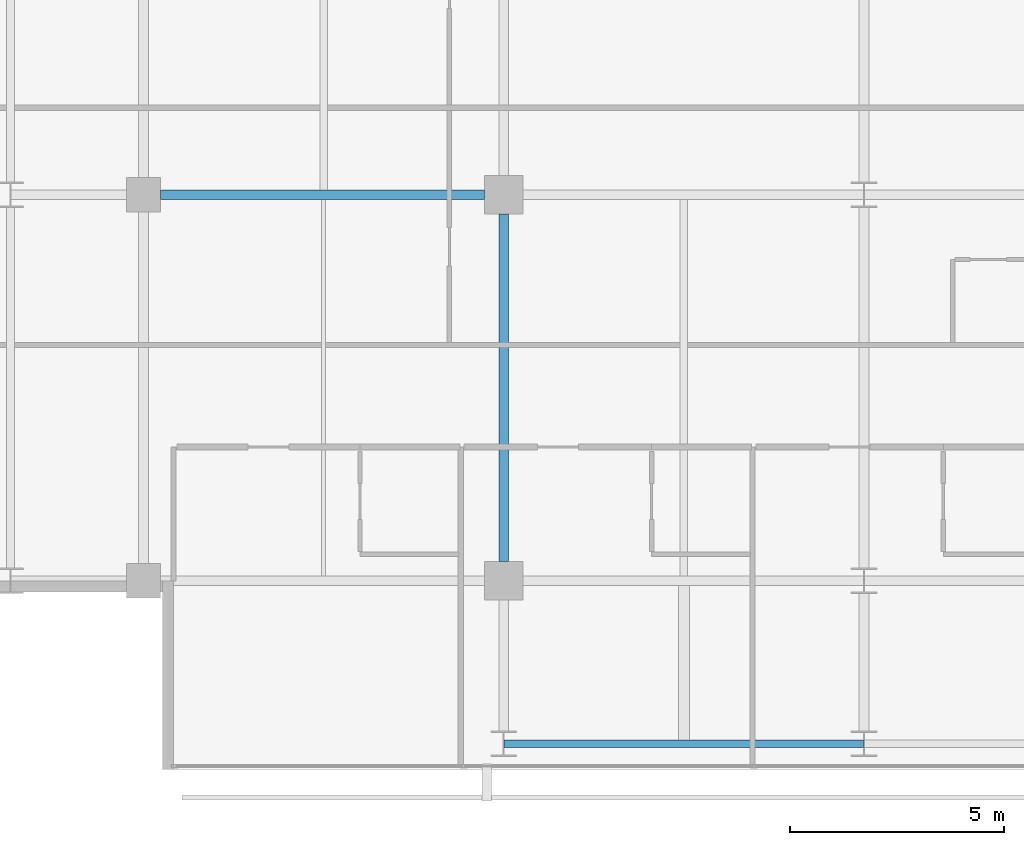
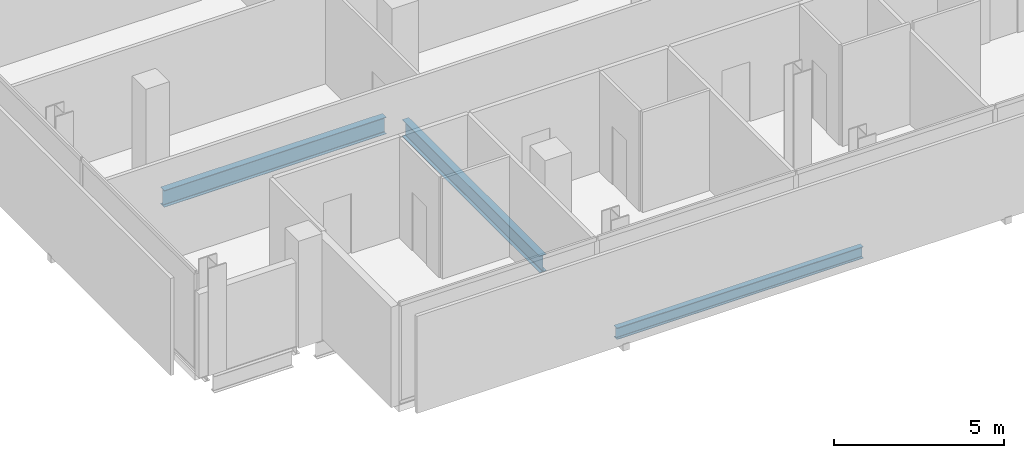
# One storey, part 5 of 33: 3 beams.
"""IFC4 building model written with IfcOpenShell, lengths in metres."""

import ifcopenshell
import ifcopenshell.guid

model = None  # the IFC model being written
_history = None  # IfcOwnerHistory: only IFC2X3 demands one
_inside = {}  # id of a spatial element -> (the spatial element, [elements in it])
_under = {}  # id of a project, library or spatial element -> (it, [spatial elements below it])
_declared = {}  # id of a project -> (the project, [libraries it declares])
_typed = {}  # id of a type object -> (the type object, [elements of that type])
_made_of = {}  # id of a material, layer set ... -> (it, [elements and type objects made of it])


def new_model(schema):
    """Start an empty IFC model of exactly this schema.

    Asked for "IFC4X3", IfcOpenShell would pick the latest addendum, in which some entities
    have other attributes; the version numbers below select the first issue.
    IFC2X3 requires an IfcOwnerHistory on every rooted entity: one is made here for all.
    """
    global model, _history
    if schema == "IFC4X3":
        model = ifcopenshell.file(schema_version=(4, 3, 0, 0))
    else:
        model = ifcopenshell.file(schema=schema)
    _inside.clear()
    _under.clear()
    _declared.clear()
    _typed.clear()
    _made_of.clear()
    _history = None
    if model.schema == "IFC2X3":
        org = make("IfcOrganization", Name="unknown")
        user = make(
            "IfcPersonAndOrganization",
            ThePerson=make("IfcPerson", FamilyName="unknown"),
            TheOrganization=org,
        )
        app = make(
            "IfcApplication",
            ApplicationDeveloper=org,
            Version="unknown",
            ApplicationFullName="unknown",
            ApplicationIdentifier="unknown",
        )
        _history = make(
            "IfcOwnerHistory",
            OwningUser=user,
            OwningApplication=app,
            ChangeAction="ADDED",
            CreationDate=0,
        )
    return model


def make(cls, **values):
    """One entity of the class cls with the attributes given. An attribute that is None is left unset."""
    return model.create_entity(
        cls, **{name: value for name, value in values.items() if value is not None}
    )


def rooted(cls, **values):
    """An entity with a GlobalId (a new one), such as an element, a storey or a relation."""
    return make(cls, GlobalId=ifcopenshell.guid.new(), OwnerHistory=_history, **values)


def si_unit(unit_type, name, prefix=None):
    """IfcSIUnit, for example si_unit("LENGTHUNIT", "METRE", prefix="MILLI")."""
    return make("IfcSIUnit", UnitType=unit_type, Prefix=prefix, Name=name)


def assignment(units):
    """IfcUnitAssignment: the units of a project."""
    return None if units is None else make("IfcUnitAssignment", Units=units)


def point(xyz):
    """IfcCartesianPoint."""
    return None if xyz is None else make("IfcCartesianPoint", Coordinates=xyz)


def direction(xyz):
    """IfcDirection."""
    return None if xyz is None else make("IfcDirection", DirectionRatios=xyz)


def frame(location, z_axis=None, x_axis=None):
    """IfcAxis2Placement3D, a coordinate frame: its origin and axes. An axis left out is left unset."""
    return make(
        "IfcAxis2Placement3D",
        Location=point(location),
        Axis=direction(z_axis),
        RefDirection=direction(x_axis),
    )


def frame_2d(location, x_axis=None):
    """IfcAxis2Placement2D, a coordinate frame in the plane: its origin and x axis."""
    return make(
        "IfcAxis2Placement2D", Location=point(location), RefDirection=direction(x_axis)
    )


def origin():
    """The frame at (0, 0, 0) with its axes left unset."""
    return frame((0.0, 0.0, 0.0))


def origin_2d():
    """The frame at (0, 0) in the plane with its x axis left unset."""
    return frame_2d((0.0, 0.0))


def place(relative_to, where):
    """IfcLocalPlacement: puts the frame where relative to a parent placement (None: the world)."""
    return make(
        "IfcLocalPlacement", PlacementRelTo=relative_to, RelativePlacement=where
    )


def context(
    kind, dimensions, precision=None, world=None, true_north=None, identifier=None
):
    """IfcGeometricRepresentationContext, for example the 3D "Model" context."""
    return make(
        "IfcGeometricRepresentationContext",
        ContextIdentifier=identifier,
        ContextType=kind,
        CoordinateSpaceDimension=dimensions,
        Precision=precision,
        WorldCoordinateSystem=world,
        TrueNorth=true_north,
    )


def subcontext(parent, identifier, kind, view, scale=None):
    """IfcGeometricRepresentationSubContext, for example "Body" below "Model"."""
    return make(
        "IfcGeometricRepresentationSubContext",
        ContextIdentifier=identifier,
        ContextType=kind,
        ParentContext=parent,
        TargetScale=scale,
        TargetView=view,
    )


def project(units=None, contexts=None):
    """IfcProject with its units and contexts."""
    return rooted(
        "IfcProject",
        Name="project",
        RepresentationContexts=contexts,
        UnitsInContext=assignment(units),
    )


def spatial(cls, under=None, at=None, **own):
    """A site, building, storey or space (cls), placed at a placement, below another one or the project."""
    s = rooted(cls, ObjectPlacement=at, **own)
    if under is not None:
        _under.setdefault(under.id(), (under, []))[1].append(s)
    return s


def profile(cls, at=None, kind="AREA", **sizes):
    """A parametric profile (cls). Its sizes go by their IFC names, for example OverallWidth=200.0."""
    return make(cls, ProfileType=kind, Position=at, **sizes)


def i_section(**sizes):
    """IfcIShapeProfileDef."""
    return profile("IfcIShapeProfileDef", **sizes)


def extrude(swept, where, along, depth):
    """IfcExtrudedAreaSolid: the profile swept, set in the frame where, extruded along a direction by depth."""
    return make(
        "IfcExtrudedAreaSolid",
        SweptArea=swept,
        Position=where,
        ExtrudedDirection=direction(along),
        Depth=depth,
    )


def shape(context_of_items, identifier, shape_type, items):
    """IfcShapeRepresentation: the items that make up one representation, for example the "Body"."""
    return make(
        "IfcShapeRepresentation",
        ContextOfItems=context_of_items,
        RepresentationIdentifier=identifier,
        RepresentationType=shape_type,
        Items=items,
    )


def material(Name=None, Category=None):
    """IfcMaterial."""
    return make("IfcMaterial", Name=Name, Category=Category)


def material_profile(
    of_material, cross_section, Name=None, Category=None, Priority=None
):
    """IfcMaterialProfile: a cross section and its material."""
    return make(
        "IfcMaterialProfile",
        Name=Name,
        Material=of_material,
        Profile=cross_section,
        Priority=Priority,
        Category=Category,
    )


def profile_set(profiles, Name=None, composite=None):
    """IfcMaterialProfileSet."""
    return make(
        "IfcMaterialProfileSet",
        Name=Name,
        MaterialProfiles=profiles,
        CompositeProfile=composite,
    )


def made_of(thing, what):
    """Note that an element or type object is made of a material, layer set ...; save() writes the relation."""
    if what is not None:
        _made_of.setdefault(what.id(), (what, []))[1].append(thing)
    return thing


def type_object(cls, material=None, **own):
    """A type object (cls), such as IfcWallType, which elements share."""
    return made_of(rooted(cls, **own), material)


def element(
    cls,
    number,
    at=None,
    inside=None,
    cuts=None,
    type_object=None,
    material=None,
    context=None,
    identifier="Body",
    shape_type=None,
    held_by="IfcProductDefinitionShape",
    body=None,
    shapes=None,
    **own,
):
    """One element of the class cls, such as IfcWall. Its Tag is "e" and its number.

    at: its placement. inside: the storey or other place that contains it. cuts: it is an
    opening in that element (IfcRelVoidsElement). A single representation is given by context,
    identifier, shape_type and body (its items); several are given by shapes. held_by: the class
    of the entity that holds the representations. save() writes the other relations.
    """
    e = rooted(cls, Tag="e%d" % number, ObjectPlacement=at, **own)
    if body is not None:
        shapes = [shape(context, identifier, shape_type, body)]
    if shapes is not None:
        e.Representation = make(held_by, Representations=shapes)
    if inside is not None:
        _inside.setdefault(inside.id(), (inside, []))[1].append(e)
    if cuts is not None:
        rooted(
            "IfcRelVoidsElement", RelatingBuildingElement=cuts, RelatedOpeningElement=e
        )
    if type_object is not None:
        _typed.setdefault(type_object.id(), (type_object, []))[1].append(e)
    return made_of(e, material)


def aggregate(whole, parts):
    """IfcRelAggregates: a whole, such as a stair, and the parts it consists of."""
    return rooted("IfcRelAggregates", RelatingObject=whole, RelatedObjects=parts)


def save(model, path):
    """Write the relations noted so far, then the file.

    IfcRelAggregates (storeys below a building ...), IfcRelContainedInSpatialStructure (elements
    in a storey), IfcRelDefinesByType, IfcRelAssociatesMaterial and IfcRelDeclares: one each for
    every whole, place, type object, material and project.
    """
    for whole, parts in _under.values():
        aggregate(whole, parts)
    for where, things in _inside.values():
        rooted(
            "IfcRelContainedInSpatialStructure",
            RelatedElements=things,
            RelatingStructure=where,
        )
    for kind, things in _typed.values():
        rooted("IfcRelDefinesByType", RelatedObjects=things, RelatingType=kind)
    for what, things in _made_of.values():
        rooted("IfcRelAssociatesMaterial", RelatedObjects=things, RelatingMaterial=what)
    for by, libraries in _declared.values():
        rooted("IfcRelDeclares", RelatingContext=by, RelatedDefinitions=libraries)
    model.write(path)


model = new_model("IFC4")

# Units and contexts
model_context = context("Model", 3, precision=1e-05, world=origin(), true_north=direction((0.0, 1.0)))
body_context = subcontext(model_context, "Body", "Model", "MODEL_VIEW")
ifc_project = project(units=[si_unit("LENGTHUNIT", "METRE"), si_unit("AREAUNIT", "SQUARE_METRE"), si_unit("VOLUMEUNIT", "CUBIC_METRE"), si_unit("PLANEANGLEUNIT", "RADIAN"), si_unit("MASSUNIT", "GRAM", prefix="KILO")], contexts=[model_context])

# Site, building, storey
site_placement = place(None, origin())
site = spatial("IfcSite", under=ifc_project, at=site_placement, CompositionType="ELEMENT")
building_placement = place(site_placement, origin())
building = spatial("IfcBuilding", under=site, at=building_placement, Name="Maruvema Waterfront Hotel and Observation Tower", CompositionType="ELEMENT")
storey_placement = place(building_placement, frame((0.0, 0.0, 158.199951171875)))
storey = spatial("IfcBuildingStorey", under=building, at=storey_placement, Name="L38", CompositionType="ELEMENT", Elevation=158.199951171875)

# Beams
ifc_material_1 = material(Name="Steel ASTM A572 Grade 50", Category="steel")
ifc_material_profile_1 = material_profile(ifc_material_1, i_section(OverallWidth=0.180908203125, OverallDepth=0.4169921875, WebThickness=0.010986328125, FlangeThickness=0.018310546875, FilletRadius=0.014892578125, at=origin_2d()), Name="W410x85.0")
ifc_profile_set_1 = profile_set([ifc_material_profile_1], Name="Steel ASTM A572 Grade 50")
beam_type_1 = type_object("IfcBeamType", Name="Perimeter Spandrel Beam W410x85.0", PredefinedType="SPANDREL", material=ifc_profile_set_1)
beam_1_placement = place(storey_placement, frame((25.21240234375, 5.199951171875, -0.448486328125), z_axis=(1.0, 0.0, 0.0), x_axis=(0.0, 1.0, 0.0)))
element("IfcBeam", 1, at=beam_1_placement, inside=storey, type_object=beam_type_1, Name="L38 Floor Girder EW-01", PredefinedType="SPANDREL", context=body_context, shape_type="SweptSolid", body=[
    extrude(i_section(OverallWidth=0.180908203125, OverallDepth=0.4169921875, WebThickness=0.010986328125, FlangeThickness=0.018310546875, FilletRadius=0.014892578125, at=origin_2d()), origin(), (0.0, 0.0, 1.0), 8.375),
])
ifc_material_2 = material(Name="Steel ASTM A572 Grade 50", Category="steel")
ifc_material_profile_2 = material_profile(ifc_material_2, i_section(OverallWidth=0.22802734375, OverallDepth=0.60302734375, WebThickness=0.010498046875, FlangeThickness=0.014892578125, FilletRadius=0.01806640625, at=origin_2d()), Name="W610x101.0")
ifc_profile_set_2 = profile_set([ifc_material_profile_2], Name="Steel ASTM A572 Grade 50")
beam_type_2 = type_object("IfcBeamType", Name="Primary Floor Girder W610x101.0", PredefinedType="BEAM", material=ifc_profile_set_2)
beam_2_placement = place(storey_placement, frame((17.199951171875, 18.0, -0.54150390625), z_axis=(1.0, 0.0, 0.0), x_axis=(0.0, 1.0, 0.0)))
element("IfcBeam", 2, at=beam_2_placement, inside=storey, type_object=beam_type_2, Name="L38 Floor Girder EW-12", PredefinedType="BEAM", context=body_context, shape_type="SweptSolid", body=[
    extrude(i_section(OverallWidth=0.22802734375, OverallDepth=0.60302734375, WebThickness=0.010498046875, FlangeThickness=0.014892578125, FilletRadius=0.01806640625, at=origin_2d()), origin(), (0.0, 0.0, 1.0), 7.550048828125),
])
beam_3_placement = place(storey_placement, frame((25.199951171875, 9.449951171875, -0.54150390625), z_axis=(0.0, 1.0, 0.0), x_axis=(-1.0, 0.0, 0.0)))
element("IfcBeam", 3, at=beam_3_placement, inside=storey, type_object=beam_type_2, Name="L38 Floor Girder NS-10", PredefinedType="BEAM", context=body_context, shape_type="SweptSolid", body=[
    extrude(i_section(OverallWidth=0.22802734375, OverallDepth=0.60302734375, WebThickness=0.010498046875, FlangeThickness=0.014892578125, FilletRadius=0.01806640625, at=origin_2d()), origin(), (0.0, 0.0, 1.0), 8.10009765625),
])

save(model, "model.ifc")
